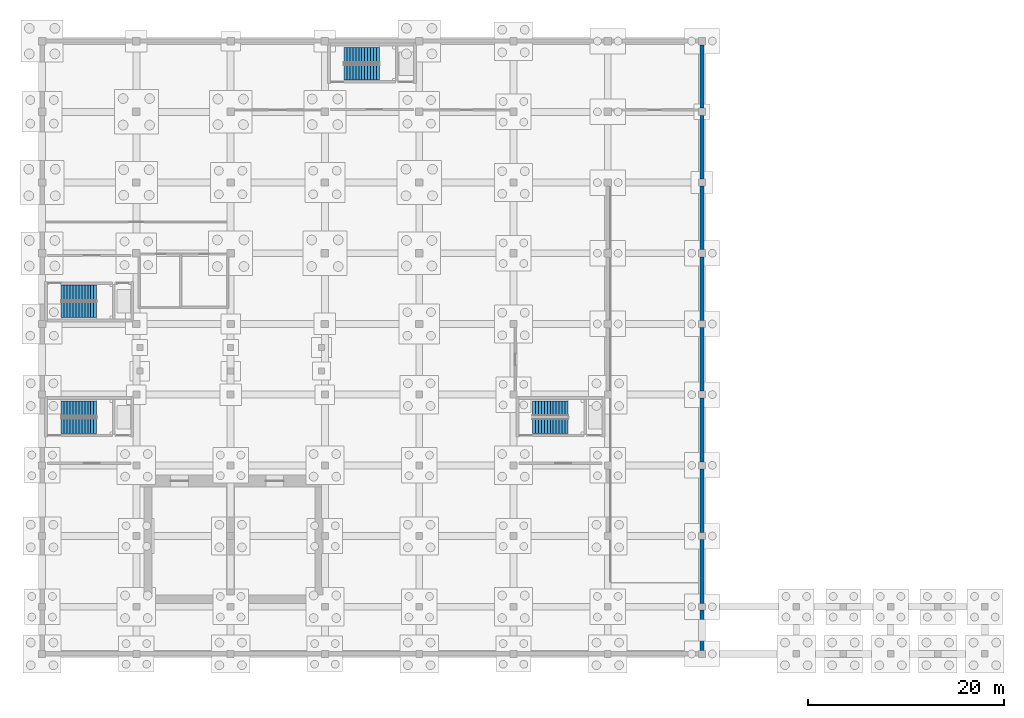
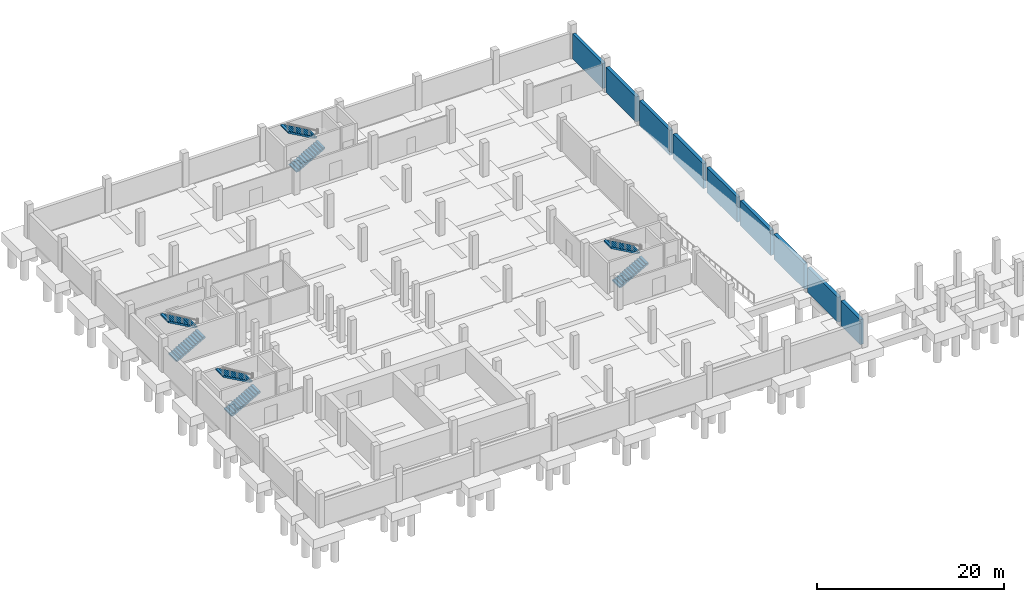
# One storey, part 8 of 13: 9 walls, 8 stair flights, 4 elements without a shape of their own.
"""IFC4 building model written with IfcOpenShell, lengths in metres."""

from ifc_helpers import new_model, si_unit, direction, frame, frame_2d, origin, place, context, subcontext, project, spatial, polyline, rectangle, outline, extrude, material, layer, layer_set, type_object, element, aggregate, save


model = new_model("IFC4")

# Units and contexts
model_context = context("Model", 3, precision=1e-05, world=origin(), true_north=direction((0.0, 1.0)))
body_context = subcontext(model_context, "Body", "Model", "MODEL_VIEW")
ifc_project = project(units=[si_unit("LENGTHUNIT", "METRE"), si_unit("AREAUNIT", "SQUARE_METRE"), si_unit("VOLUMEUNIT", "CUBIC_METRE"), si_unit("PLANEANGLEUNIT", "RADIAN"), si_unit("MASSUNIT", "GRAM", prefix="KILO")], contexts=[model_context])

# Site, building, storey
site_placement = place(None, origin())
site = spatial("IfcSite", under=ifc_project, at=site_placement, CompositionType="ELEMENT")
building_placement = place(site_placement, origin())
building = spatial("IfcBuilding", under=site, at=building_placement, Name="Asteropetra Specialist Clinic", CompositionType="ELEMENT")
storey_placement = place(building_placement, frame((0.0, 0.0, -4.419921875)))
storey = spatial("IfcBuildingStorey", under=building, at=storey_placement, Name="B1", CompositionType="ELEMENT", Elevation=-4.419921875)

# Walls
ifc_material_1 = material(Name="Concrete C35/45", Category="concrete")
ifc_layer_1 = layer(ifc_material_1, 0.39990234375)
ifc_layer_set_1 = layer_set([ifc_layer_1], Name="Concrete C35/45")
wall_type = type_object("IfcWallType", Name="WL-RET-400", PredefinedType="USERDEFINED", material=ifc_layer_set_1)
wall_1_placement = place(storey_placement, frame((67.199951171875, 0.35009765625, 0.0), z_axis=(0.0, 0.0, 1.0), x_axis=(0.0, 1.0, 0.0)))
element("IfcWall", 1, at=wall_1_placement, inside=storey, type_object=wall_type, Name="Basement Retaining Wall WR-016", ObjectType="RETAINING WALL", PredefinedType="USERDEFINED", context=body_context, shape_type="SweptSolid", body=[
    extrude(rectangle(XDim=4.099853515625, YDim=0.39990234375, at=frame_2d((2.0498046875, 0.0))), origin(), (0.0, 0.0, 1.0), 3.27001953125),
])
for number, where, z_axis, x_axis, name in (
    (2, (67.199951171875, 5.14990234375, 0.0), (0.0, 0.0, 1.0), (0.0, 1.0, 0.0), "Basement Retaining Wall WR-018"),
    (3, (67.199951171875, 12.35009765625, 0.0), (0.0, 0.0, 1.0), (0.0, 1.0, 0.0), "Basement Retaining Wall WR-020"),
    (4, (67.199951171875, 19.550048828125, 0.0), (0.0, 0.0, 1.0), (0.0, 1.0, 0.0), "Basement Retaining Wall WR-022"),
):
    element("IfcWall", number, at=place(storey_placement, frame(where, z_axis=z_axis, x_axis=x_axis)), inside=storey, type_object=wall_type, Name=name, ObjectType="RETAINING WALL", PredefinedType="USERDEFINED", context=body_context, shape_type="SweptSolid", body=[
        extrude(rectangle(XDim=6.5, YDim=0.39990234375, at=frame_2d((3.25, 0.0))), origin(), (0.0, 0.0, 1.0), 3.27001953125),
    ])
wall_2_placement = place(storey_placement, frame((67.199951171875, 26.75, 0.0), z_axis=(0.0, 0.0, 1.0), x_axis=(0.0, 1.0, 0.0)))
element("IfcWall", 5, at=wall_2_placement, inside=storey, type_object=wall_type, Name="Basement Retaining Wall WR-024", ObjectType="RETAINING WALL", PredefinedType="USERDEFINED", context=body_context, shape_type="SweptSolid", body=[
    extrude(rectangle(XDim=6.47509765625, YDim=0.39990234375, at=frame_2d((3.237548828125, 0.0))), origin(), (0.0, 0.0, 1.0), 3.27001953125),
])
for number, where, z_axis, x_axis, name in (
    (6, (67.199951171875, 33.97509765625, 0.0), (0.0, 0.0, 1.0), (0.0, 1.0, 0.0), "Basement Retaining Wall WR-026"),
    (7, (67.199951171875, 41.175048828125, 0.0), (0.0, 0.0, 1.0), (0.0, 1.0, 0.0), "Basement Retaining Wall WR-028"),
    (8, (67.199951171875, 48.375, 0.0), (0.0, 0.0, 1.0), (0.0, 1.0, 0.0), "Basement Retaining Wall WR-030"),
    (9, (67.199951171875, 55.574951171875, 0.0), (0.0, 0.0, 1.0), (0.0, 1.0, 0.0), "Basement Retaining Wall WR-032"),
):
    element("IfcWall", number, at=place(storey_placement, frame(where, z_axis=z_axis, x_axis=x_axis)), inside=storey, type_object=wall_type, Name=name, ObjectType="RETAINING WALL", PredefinedType="USERDEFINED", context=body_context, shape_type="SweptSolid", body=[
        extrude(rectangle(XDim=6.449951171875, YDim=0.39990234375, at=frame_2d((3.22509765625, 0.0))), origin(), (0.0, 0.0, 1.0), 3.27001953125),
    ])

# Stair, stair flights
ifc_material_2 = material(Name="Concrete C35/45", Category="concrete")
stair_type_1 = type_object("IfcStairType", Name="STR-DOG-155", PredefinedType="TWO_STRAIGHT_RUN_STAIR", material=ifc_material_2)
stair_1_placement = place(storey_placement, origin())
stair_1 = element("IfcStair", 10, at=stair_1_placement, inside=storey, type_object=stair_type_1, Name="Type I Stair ST07-B1", PredefinedType="TWO_STRAIGHT_RUN_STAIR")
ifc_material_3 = material(Name="Concrete C35/45", Category="concrete")
ifc_layer_2 = layer(ifc_material_3, 0.179931640625)
ifc_layer_set_2 = layer_set([ifc_layer_2], Name="Concrete C35/45")
stair_flight_type_1 = type_object("IfcStairFlightType", Name="SFL-STR-155", PredefinedType="STRAIGHT", material=ifc_layer_set_2)
stair_flight_1_placement = place(storey_placement, frame((49.949951171875, 23.195068359375, 0.0), z_axis=(0.0, 0.0, 1.0), x_axis=(1.0, 0.0, 0.0)))
stair_flight_1 = element("IfcStairFlight", 11, at=stair_flight_1_placement, type_object=stair_flight_type_1, Name="ST07-B1 flight 1", NumberOfRisers=13, NumberOfTreads=12, PredefinedType="STRAIGHT", RiserHeight=0.17, TreadLength=0.3, context=body_context, shape_type="SweptSolid", body=[
    extrude(outline(polyline([(0.0, 0.0), (0.0, 0.169921875), (0.300048828125, 0.169921875), (0.300048828125, 0.340087890625), (0.60009765625, 0.340087890625), (0.60009765625, 0.510009765625), (0.89990234375, 0.510009765625), (0.89990234375, 0.679931640625), (1.199951171875, 0.679931640625), (1.199951171875, 0.85009765625), (1.5, 0.85009765625), (1.5, 1.02001953125), (1.800048828125, 1.02001953125), (1.800048828125, 1.18994140625), (2.10009765625, 1.18994140625), (2.10009765625, 1.360107421875), (2.39990234375, 1.360107421875), (2.39990234375, 1.530029296875), (2.699951171875, 1.530029296875), (2.699951171875, 1.699951171875), (3.0, 1.699951171875), (3.0, 1.8701171875), (3.300048828125, 1.8701171875), (3.300048828125, 2.0400390625), (3.60009765625, 2.0400390625), (3.60009765625, 2.2099609375), (3.60009765625, 1.856201171875), (0.324462890625, 0.0), (0.0, 0.0)])), frame((0.0, 0.77490234375, 0.0), z_axis=(0.0, -1.0, 0.0), x_axis=(1.0, 0.0, 0.0)), (0.0, 0.0, 1.0), 1.550048828125),
])
stair_flight_2_placement = place(storey_placement, frame((53.550048828125, 24.985107421875, 2.2099609375), z_axis=(0.0, 0.0, 1.0), x_axis=(-1.0, 0.0, 0.0)))
stair_flight_2 = element("IfcStairFlight", 12, at=stair_flight_2_placement, type_object=stair_flight_type_1, Name="ST07-B1 flight 2", NumberOfRisers=13, NumberOfTreads=12, PredefinedType="STRAIGHT", RiserHeight=0.17, TreadLength=0.3, context=body_context, shape_type="SweptSolid", body=[
    extrude(outline(polyline([(0.0, 0.0), (0.0, 0.169921875), (0.300048828125, 0.169921875), (0.300048828125, 0.340087890625), (0.60009765625, 0.340087890625), (0.60009765625, 0.510009765625), (0.89990234375, 0.510009765625), (0.89990234375, 0.679931640625), (1.199951171875, 0.679931640625), (1.199951171875, 0.85009765625), (1.5, 0.85009765625), (1.5, 1.02001953125), (1.800048828125, 1.02001953125), (1.800048828125, 1.18994140625), (2.10009765625, 1.18994140625), (2.10009765625, 1.360107421875), (2.39990234375, 1.360107421875), (2.39990234375, 1.530029296875), (2.699951171875, 1.530029296875), (2.699951171875, 1.699951171875), (3.0, 1.699951171875), (3.0, 1.8701171875), (3.300048828125, 1.8701171875), (3.300048828125, 2.0400390625), (3.60009765625, 2.0400390625), (3.60009765625, 2.2099609375), (3.60009765625, 1.856201171875), (0.324462890625, 0.0), (0.0, 0.0)])), frame((0.0, 0.77490234375, 0.0), z_axis=(0.0, -1.0, 0.0), x_axis=(1.0, 0.0, 0.0)), (0.0, 0.0, 1.0), 1.550048828125),
])
aggregate(stair_1, [stair_flight_1, stair_flight_2])

ifc_material_4 = material(Name="Concrete C35/45", Category="concrete")
stair_type_2 = type_object("IfcStairType", Name="STR-DOG-160", PredefinedType="TWO_STRAIGHT_RUN_STAIR", material=ifc_material_4)
stair_2_placement = place(storey_placement, origin())
stair_2 = element("IfcStair", 13, at=stair_2_placement, inside=storey, type_object=stair_type_2, Name="Type I Stair ST05-B1", PredefinedType="TWO_STRAIGHT_RUN_STAIR")
ifc_material_5 = material(Name="Concrete C35/45", Category="concrete")
ifc_layer_3 = layer(ifc_material_5, 0.179931640625)
ifc_layer_set_3 = layer_set([ifc_layer_3], Name="Concrete C35/45")
stair_flight_type_2 = type_object("IfcStairFlightType", Name="SFL-STR-160", PredefinedType="STRAIGHT", material=ifc_layer_set_3)
stair_flight_3_placement = place(storey_placement, frame((30.75, 59.219970703125, 0.0), z_axis=(0.0, 0.0, 1.0), x_axis=(1.0, 0.0, 0.0)))
stair_flight_3 = element("IfcStairFlight", 14, at=stair_flight_3_placement, type_object=stair_flight_type_2, Name="ST05-B1 flight 1", NumberOfRisers=13, NumberOfTreads=12, PredefinedType="STRAIGHT", RiserHeight=0.17, TreadLength=0.3, context=body_context, shape_type="SweptSolid", body=[
    extrude(outline(polyline([(0.0, 0.0), (0.0, 0.169921875), (0.300048828125, 0.169921875), (0.300048828125, 0.340087890625), (0.60009765625, 0.340087890625), (0.60009765625, 0.510009765625), (0.89990234375, 0.510009765625), (0.89990234375, 0.679931640625), (1.199951171875, 0.679931640625), (1.199951171875, 0.85009765625), (1.5, 0.85009765625), (1.5, 1.02001953125), (1.800048828125, 1.02001953125), (1.800048828125, 1.18994140625), (2.10009765625, 1.18994140625), (2.10009765625, 1.360107421875), (2.39990234375, 1.360107421875), (2.39990234375, 1.530029296875), (2.699951171875, 1.530029296875), (2.699951171875, 1.699951171875), (3.0, 1.699951171875), (3.0, 1.8701171875), (3.300048828125, 1.8701171875), (3.300048828125, 2.0400390625), (3.60009765625, 2.0400390625), (3.60009765625, 2.2099609375), (3.60009765625, 1.856201171875), (0.324462890625, 0.0), (0.0, 0.0)])), frame((0.0, 0.800048828125, 0.0), z_axis=(0.0, -1.0, 0.0), x_axis=(1.0, 0.0, 0.0)), (0.0, 0.0, 1.0), 1.60009765625),
])
stair_flight_4_placement = place(storey_placement, frame((34.35009765625, 60.9599609375, 2.2099609375), z_axis=(0.0, 0.0, 1.0), x_axis=(-1.0, 0.0, 0.0)))
stair_flight_4 = element("IfcStairFlight", 15, at=stair_flight_4_placement, type_object=stair_flight_type_2, Name="ST05-B1 flight 2", NumberOfRisers=13, NumberOfTreads=12, PredefinedType="STRAIGHT", RiserHeight=0.17, TreadLength=0.3, context=body_context, shape_type="SweptSolid", body=[
    extrude(outline(polyline([(0.0, 0.0), (0.0, 0.169921875), (0.300048828125, 0.169921875), (0.300048828125, 0.340087890625), (0.60009765625, 0.340087890625), (0.60009765625, 0.510009765625), (0.89990234375, 0.510009765625), (0.89990234375, 0.679931640625), (1.199951171875, 0.679931640625), (1.199951171875, 0.85009765625), (1.5, 0.85009765625), (1.5, 1.02001953125), (1.800048828125, 1.02001953125), (1.800048828125, 1.18994140625), (2.10009765625, 1.18994140625), (2.10009765625, 1.360107421875), (2.39990234375, 1.360107421875), (2.39990234375, 1.530029296875), (2.699951171875, 1.530029296875), (2.699951171875, 1.699951171875), (3.0, 1.699951171875), (3.0, 1.8701171875), (3.300048828125, 1.8701171875), (3.300048828125, 2.0400390625), (3.60009765625, 2.0400390625), (3.60009765625, 2.2099609375), (3.60009765625, 1.856201171875), (0.324462890625, 0.0), (0.0, 0.0)])), frame((0.0, 0.800048828125, 0.0), z_axis=(0.0, -1.0, 0.0), x_axis=(1.0, 0.0, 0.0)), (0.0, 0.0, 1.0), 1.60009765625),
])
aggregate(stair_2, [stair_flight_3, stair_flight_4])

stair_3_placement = place(storey_placement, origin())
stair_3 = element("IfcStair", 16, at=stair_3_placement, inside=storey, type_object=stair_type_2, Name="Type I Stair ST06-B1", PredefinedType="TWO_STRAIGHT_RUN_STAIR")
stair_flight_5_placement = place(storey_placement, frame((1.949951171875, 23.219970703125, 0.0), z_axis=(0.0, 0.0, 1.0), x_axis=(1.0, 0.0, 0.0)))
stair_flight_5 = element("IfcStairFlight", 17, at=stair_flight_5_placement, type_object=stair_flight_type_2, Name="ST06-B1 flight 1", NumberOfRisers=13, NumberOfTreads=12, PredefinedType="STRAIGHT", RiserHeight=0.17, TreadLength=0.3, context=body_context, shape_type="SweptSolid", body=[
    extrude(outline(polyline([(0.0, 0.0), (0.0, 0.169921875), (0.300048828125, 0.169921875), (0.300048828125, 0.340087890625), (0.60009765625, 0.340087890625), (0.60009765625, 0.510009765625), (0.89990234375, 0.510009765625), (0.89990234375, 0.679931640625), (1.199951171875, 0.679931640625), (1.199951171875, 0.85009765625), (1.5, 0.85009765625), (1.5, 1.02001953125), (1.800048828125, 1.02001953125), (1.800048828125, 1.18994140625), (2.10009765625, 1.18994140625), (2.10009765625, 1.360107421875), (2.39990234375, 1.360107421875), (2.39990234375, 1.530029296875), (2.699951171875, 1.530029296875), (2.699951171875, 1.699951171875), (3.0, 1.699951171875), (3.0, 1.8701171875), (3.300048828125, 1.8701171875), (3.300048828125, 2.0400390625), (3.60009765625, 2.0400390625), (3.60009765625, 2.2099609375), (3.60009765625, 1.856201171875), (0.324462890625, 0.0), (0.0, 0.0)])), frame((0.0, 0.800048828125, 0.0), z_axis=(0.0, -1.0, 0.0), x_axis=(1.0, 0.0, 0.0)), (0.0, 0.0, 1.0), 1.60009765625),
])
stair_flight_6_placement = place(storey_placement, frame((5.550048828125, 24.9599609375, 2.2099609375), z_axis=(0.0, 0.0, 1.0), x_axis=(-1.0, 0.0, 0.0)))
stair_flight_6 = element("IfcStairFlight", 18, at=stair_flight_6_placement, type_object=stair_flight_type_2, Name="ST06-B1 flight 2", NumberOfRisers=13, NumberOfTreads=12, PredefinedType="STRAIGHT", RiserHeight=0.17, TreadLength=0.3, context=body_context, shape_type="SweptSolid", body=[
    extrude(outline(polyline([(0.0, 0.0), (0.0, 0.169921875), (0.300048828125, 0.169921875), (0.300048828125, 0.340087890625), (0.60009765625, 0.340087890625), (0.60009765625, 0.510009765625), (0.89990234375, 0.510009765625), (0.89990234375, 0.679931640625), (1.199951171875, 0.679931640625), (1.199951171875, 0.85009765625), (1.5, 0.85009765625), (1.5, 1.02001953125), (1.800048828125, 1.02001953125), (1.800048828125, 1.18994140625), (2.10009765625, 1.18994140625), (2.10009765625, 1.360107421875), (2.39990234375, 1.360107421875), (2.39990234375, 1.530029296875), (2.699951171875, 1.530029296875), (2.699951171875, 1.699951171875), (3.0, 1.699951171875), (3.0, 1.8701171875), (3.300048828125, 1.8701171875), (3.300048828125, 2.0400390625), (3.60009765625, 2.0400390625), (3.60009765625, 2.2099609375), (3.60009765625, 1.856201171875), (0.324462890625, 0.0), (0.0, 0.0)])), frame((0.0, 0.800048828125, 0.0), z_axis=(0.0, -1.0, 0.0), x_axis=(1.0, 0.0, 0.0)), (0.0, 0.0, 1.0), 1.60009765625),
])
aggregate(stair_3, [stair_flight_5, stair_flight_6])

ifc_material_6 = material(Name="Concrete C35/45", Category="concrete")
stair_type_3 = type_object("IfcStairType", Name="STR-DOG-165", PredefinedType="TWO_STRAIGHT_RUN_STAIR", material=ifc_material_6)
stair_4_placement = place(storey_placement, origin())
stair_4 = element("IfcStair", 19, at=stair_4_placement, inside=storey, type_object=stair_type_3, Name="Type I Stair ST04-B1", PredefinedType="TWO_STRAIGHT_RUN_STAIR")
ifc_material_7 = material(Name="Concrete C35/45", Category="concrete")
ifc_layer_4 = layer(ifc_material_7, 0.179931640625)
ifc_layer_set_4 = layer_set([ifc_layer_4], Name="Concrete C35/45")
stair_flight_type_3 = type_object("IfcStairFlightType", Name="SFL-STR-165", PredefinedType="STRAIGHT", material=ifc_layer_set_4)
stair_flight_7_placement = place(storey_placement, frame((1.949951171875, 35.06494140625, 0.0), z_axis=(0.0, 0.0, 1.0), x_axis=(1.0, 0.0, 0.0)))
stair_flight_7 = element("IfcStairFlight", 20, at=stair_flight_7_placement, type_object=stair_flight_type_3, Name="ST04-B1 flight 1", NumberOfRisers=13, NumberOfTreads=12, PredefinedType="STRAIGHT", RiserHeight=0.17, TreadLength=0.3, context=body_context, shape_type="SweptSolid", body=[
    extrude(outline(polyline([(0.0, 0.0), (0.0, 0.169921875), (0.300048828125, 0.169921875), (0.300048828125, 0.340087890625), (0.60009765625, 0.340087890625), (0.60009765625, 0.510009765625), (0.89990234375, 0.510009765625), (0.89990234375, 0.679931640625), (1.199951171875, 0.679931640625), (1.199951171875, 0.85009765625), (1.5, 0.85009765625), (1.5, 1.02001953125), (1.800048828125, 1.02001953125), (1.800048828125, 1.18994140625), (2.10009765625, 1.18994140625), (2.10009765625, 1.360107421875), (2.39990234375, 1.360107421875), (2.39990234375, 1.530029296875), (2.699951171875, 1.530029296875), (2.699951171875, 1.699951171875), (3.0, 1.699951171875), (3.0, 1.8701171875), (3.300048828125, 1.8701171875), (3.300048828125, 2.0400390625), (3.60009765625, 2.0400390625), (3.60009765625, 2.2099609375), (3.60009765625, 1.856201171875), (0.324462890625, 0.0), (0.0, 0.0)])), frame((0.0, 0.824951171875, 0.0), z_axis=(0.0, -1.0, 0.0), x_axis=(1.0, 0.0, 0.0)), (0.0, 0.0, 1.0), 1.64990234375),
])
stair_flight_8_placement = place(storey_placement, frame((5.550048828125, 36.7548828125, 2.2099609375), z_axis=(0.0, 0.0, 1.0), x_axis=(-1.0, 0.0, 0.0)))
stair_flight_8 = element("IfcStairFlight", 21, at=stair_flight_8_placement, type_object=stair_flight_type_3, Name="ST04-B1 flight 2", NumberOfRisers=13, NumberOfTreads=12, PredefinedType="STRAIGHT", RiserHeight=0.17, TreadLength=0.3, context=body_context, shape_type="SweptSolid", body=[
    extrude(outline(polyline([(0.0, 0.0), (0.0, 0.169921875), (0.300048828125, 0.169921875), (0.300048828125, 0.340087890625), (0.60009765625, 0.340087890625), (0.60009765625, 0.510009765625), (0.89990234375, 0.510009765625), (0.89990234375, 0.679931640625), (1.199951171875, 0.679931640625), (1.199951171875, 0.85009765625), (1.5, 0.85009765625), (1.5, 1.02001953125), (1.800048828125, 1.02001953125), (1.800048828125, 1.18994140625), (2.10009765625, 1.18994140625), (2.10009765625, 1.360107421875), (2.39990234375, 1.360107421875), (2.39990234375, 1.530029296875), (2.699951171875, 1.530029296875), (2.699951171875, 1.699951171875), (3.0, 1.699951171875), (3.0, 1.8701171875), (3.300048828125, 1.8701171875), (3.300048828125, 2.0400390625), (3.60009765625, 2.0400390625), (3.60009765625, 2.2099609375), (3.60009765625, 1.856201171875), (0.324462890625, 0.0), (0.0, 0.0)])), frame((0.0, 0.824951171875, 0.0), z_axis=(0.0, -1.0, 0.0), x_axis=(1.0, 0.0, 0.0)), (0.0, 0.0, 1.0), 1.64990234375),
])
aggregate(stair_4, [stair_flight_7, stair_flight_8])

save(model, "model.ifc")
